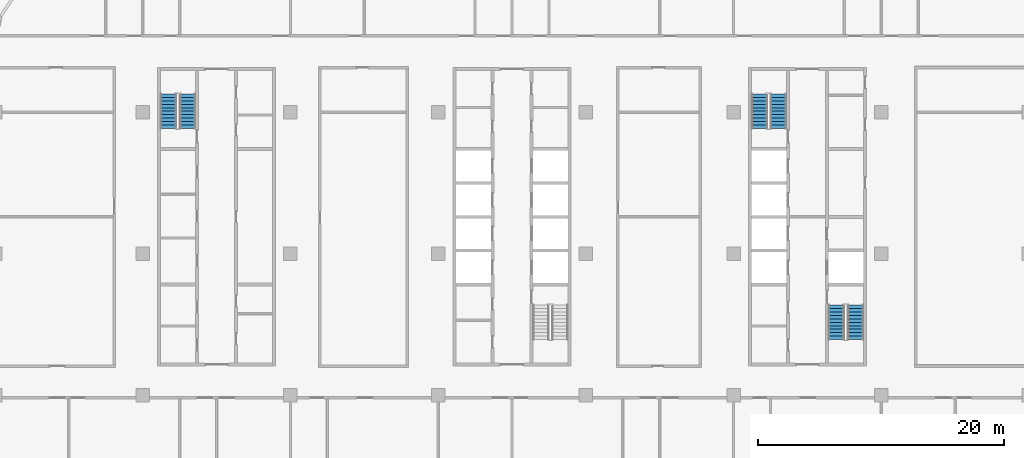
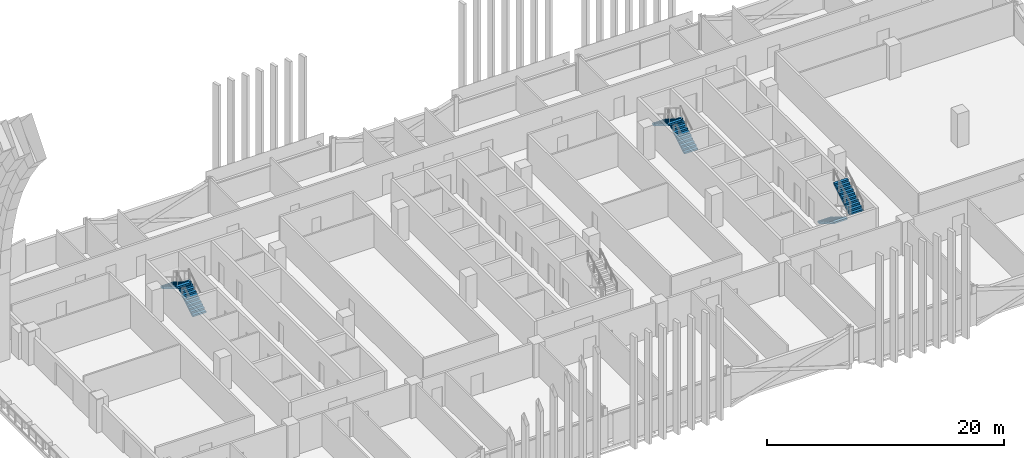
# One storey, part 15 of 28: 6 stair flights, 3 elements without a shape of their own.
"""IFC4 building model written with IfcOpenShell, lengths in metres."""

import ifcopenshell
import ifcopenshell.guid

model = None  # the IFC model being written
_history = None  # IfcOwnerHistory: only IFC2X3 demands one
_inside = {}  # id of a spatial element -> (the spatial element, [elements in it])
_under = {}  # id of a project, library or spatial element -> (it, [spatial elements below it])
_declared = {}  # id of a project -> (the project, [libraries it declares])
_typed = {}  # id of a type object -> (the type object, [elements of that type])
_made_of = {}  # id of a material, layer set ... -> (it, [elements and type objects made of it])


def new_model(schema):
    """Start an empty IFC model of exactly this schema.

    Asked for "IFC4X3", IfcOpenShell would pick the latest addendum, in which some entities
    have other attributes; the version numbers below select the first issue.
    IFC2X3 requires an IfcOwnerHistory on every rooted entity: one is made here for all.
    """
    global model, _history
    if schema == "IFC4X3":
        model = ifcopenshell.file(schema_version=(4, 3, 0, 0))
    else:
        model = ifcopenshell.file(schema=schema)
    _inside.clear()
    _under.clear()
    _declared.clear()
    _typed.clear()
    _made_of.clear()
    _history = None
    if model.schema == "IFC2X3":
        org = make("IfcOrganization", Name="unknown")
        user = make(
            "IfcPersonAndOrganization",
            ThePerson=make("IfcPerson", FamilyName="unknown"),
            TheOrganization=org,
        )
        app = make(
            "IfcApplication",
            ApplicationDeveloper=org,
            Version="unknown",
            ApplicationFullName="unknown",
            ApplicationIdentifier="unknown",
        )
        _history = make(
            "IfcOwnerHistory",
            OwningUser=user,
            OwningApplication=app,
            ChangeAction="ADDED",
            CreationDate=0,
        )
    return model


def make(cls, **values):
    """One entity of the class cls with the attributes given. An attribute that is None is left unset."""
    return model.create_entity(
        cls, **{name: value for name, value in values.items() if value is not None}
    )


def rooted(cls, **values):
    """An entity with a GlobalId (a new one), such as an element, a storey or a relation."""
    return make(cls, GlobalId=ifcopenshell.guid.new(), OwnerHistory=_history, **values)


def si_unit(unit_type, name, prefix=None):
    """IfcSIUnit, for example si_unit("LENGTHUNIT", "METRE", prefix="MILLI")."""
    return make("IfcSIUnit", UnitType=unit_type, Prefix=prefix, Name=name)


def assignment(units):
    """IfcUnitAssignment: the units of a project."""
    return None if units is None else make("IfcUnitAssignment", Units=units)


def point(xyz):
    """IfcCartesianPoint."""
    return None if xyz is None else make("IfcCartesianPoint", Coordinates=xyz)


def direction(xyz):
    """IfcDirection."""
    return None if xyz is None else make("IfcDirection", DirectionRatios=xyz)


def frame(location, z_axis=None, x_axis=None):
    """IfcAxis2Placement3D, a coordinate frame: its origin and axes. An axis left out is left unset."""
    return make(
        "IfcAxis2Placement3D",
        Location=point(location),
        Axis=direction(z_axis),
        RefDirection=direction(x_axis),
    )


def origin():
    """The frame at (0, 0, 0) with its axes left unset."""
    return frame((0.0, 0.0, 0.0))


def place(relative_to, where):
    """IfcLocalPlacement: puts the frame where relative to a parent placement (None: the world)."""
    return make(
        "IfcLocalPlacement", PlacementRelTo=relative_to, RelativePlacement=where
    )


def context(
    kind, dimensions, precision=None, world=None, true_north=None, identifier=None
):
    """IfcGeometricRepresentationContext, for example the 3D "Model" context."""
    return make(
        "IfcGeometricRepresentationContext",
        ContextIdentifier=identifier,
        ContextType=kind,
        CoordinateSpaceDimension=dimensions,
        Precision=precision,
        WorldCoordinateSystem=world,
        TrueNorth=true_north,
    )


def subcontext(parent, identifier, kind, view, scale=None):
    """IfcGeometricRepresentationSubContext, for example "Body" below "Model"."""
    return make(
        "IfcGeometricRepresentationSubContext",
        ContextIdentifier=identifier,
        ContextType=kind,
        ParentContext=parent,
        TargetScale=scale,
        TargetView=view,
    )


def project(units=None, contexts=None):
    """IfcProject with its units and contexts."""
    return rooted(
        "IfcProject",
        Name="project",
        RepresentationContexts=contexts,
        UnitsInContext=assignment(units),
    )


def spatial(cls, under=None, at=None, **own):
    """A site, building, storey or space (cls), placed at a placement, below another one or the project."""
    s = rooted(cls, ObjectPlacement=at, **own)
    if under is not None:
        _under.setdefault(under.id(), (under, []))[1].append(s)
    return s


def polyline(points):
    """IfcPolyline through the points."""
    return make("IfcPolyline", Points=[point(p) for p in points])


def outline(outer, holes=None, kind="AREA"):
    """IfcArbitraryClosedProfileDef: a profile drawn as a closed curve; with holes, ...WithVoids."""
    if holes is None:
        return make("IfcArbitraryClosedProfileDef", ProfileType=kind, OuterCurve=outer)
    return make(
        "IfcArbitraryProfileDefWithVoids",
        ProfileType=kind,
        OuterCurve=outer,
        InnerCurves=holes,
    )


def extrude(swept, where, along, depth):
    """IfcExtrudedAreaSolid: the profile swept, set in the frame where, extruded along a direction by depth."""
    return make(
        "IfcExtrudedAreaSolid",
        SweptArea=swept,
        Position=where,
        ExtrudedDirection=direction(along),
        Depth=depth,
    )


def shape(context_of_items, identifier, shape_type, items):
    """IfcShapeRepresentation: the items that make up one representation, for example the "Body"."""
    return make(
        "IfcShapeRepresentation",
        ContextOfItems=context_of_items,
        RepresentationIdentifier=identifier,
        RepresentationType=shape_type,
        Items=items,
    )


def material(Name=None, Category=None):
    """IfcMaterial."""
    return make("IfcMaterial", Name=Name, Category=Category)


def made_of(thing, what):
    """Note that an element or type object is made of a material, layer set ...; save() writes the relation."""
    if what is not None:
        _made_of.setdefault(what.id(), (what, []))[1].append(thing)
    return thing


def type_object(cls, material=None, **own):
    """A type object (cls), such as IfcWallType, which elements share."""
    return made_of(rooted(cls, **own), material)


def element(
    cls,
    number,
    at=None,
    inside=None,
    cuts=None,
    type_object=None,
    material=None,
    context=None,
    identifier="Body",
    shape_type=None,
    held_by="IfcProductDefinitionShape",
    body=None,
    shapes=None,
    **own,
):
    """One element of the class cls, such as IfcWall. Its Tag is "e" and its number.

    at: its placement. inside: the storey or other place that contains it. cuts: it is an
    opening in that element (IfcRelVoidsElement). A single representation is given by context,
    identifier, shape_type and body (its items); several are given by shapes. held_by: the class
    of the entity that holds the representations. save() writes the other relations.
    """
    e = rooted(cls, Tag="e%d" % number, ObjectPlacement=at, **own)
    if body is not None:
        shapes = [shape(context, identifier, shape_type, body)]
    if shapes is not None:
        e.Representation = make(held_by, Representations=shapes)
    if inside is not None:
        _inside.setdefault(inside.id(), (inside, []))[1].append(e)
    if cuts is not None:
        rooted(
            "IfcRelVoidsElement", RelatingBuildingElement=cuts, RelatedOpeningElement=e
        )
    if type_object is not None:
        _typed.setdefault(type_object.id(), (type_object, []))[1].append(e)
    return made_of(e, material)


def aggregate(whole, parts):
    """IfcRelAggregates: a whole, such as a stair, and the parts it consists of."""
    return rooted("IfcRelAggregates", RelatingObject=whole, RelatedObjects=parts)


def save(model, path):
    """Write the relations noted so far, then the file.

    IfcRelAggregates (storeys below a building ...), IfcRelContainedInSpatialStructure (elements
    in a storey), IfcRelDefinesByType, IfcRelAssociatesMaterial and IfcRelDeclares: one each for
    every whole, place, type object, material and project.
    """
    for whole, parts in _under.values():
        aggregate(whole, parts)
    for where, things in _inside.values():
        rooted(
            "IfcRelContainedInSpatialStructure",
            RelatedElements=things,
            RelatingStructure=where,
        )
    for kind, things in _typed.values():
        rooted("IfcRelDefinesByType", RelatedObjects=things, RelatingType=kind)
    for what, things in _made_of.values():
        rooted("IfcRelAssociatesMaterial", RelatedObjects=things, RelatingMaterial=what)
    for by, libraries in _declared.values():
        rooted("IfcRelDeclares", RelatingContext=by, RelatedDefinitions=libraries)
    model.write(path)


model = new_model("IFC4")

# Units and contexts
model_context = context("Model", 3, precision=1e-05, world=origin(), true_north=direction((0.0, 1.0)))
body_context = subcontext(model_context, "Body", "Model", "MODEL_VIEW")
ifc_project = project(units=[si_unit("LENGTHUNIT", "METRE"), si_unit("AREAUNIT", "SQUARE_METRE"), si_unit("VOLUMEUNIT", "CUBIC_METRE"), si_unit("PLANEANGLEUNIT", "RADIAN"), si_unit("MASSUNIT", "GRAM", prefix="KILO")], contexts=[model_context])

# Site, building, storey
site_placement = place(None, origin())
site = spatial("IfcSite", under=ifc_project, at=site_placement, CompositionType="ELEMENT")
building_placement = place(site_placement, origin())
building = spatial("IfcBuilding", under=site, at=building_placement, Name="Mahtab Terrace Research Tower", CompositionType="ELEMENT")
storey_placement = place(building_placement, frame((0.0, 0.0, 193.89990234375)))
storey = spatial("IfcBuildingStorey", under=building, at=storey_placement, Name="L46", CompositionType="ELEMENT", Elevation=193.89990234375)

# Stair, stair flights
ifc_material_1 = material(Name="Exit stair half-turn")
stair_type = type_object("IfcStairType", Name="Exit stair half-turn", PredefinedType="HALF_TURN_STAIR", material=ifc_material_1)
stair_1_placement = place(storey_placement, origin())
stair_1 = element("IfcStair", 1, at=stair_1_placement, inside=storey, type_object=stair_type, Name="L46 Protected exit stair ST1", PredefinedType="HALF_TURN_STAIR")
ifc_material_2 = material(Name="Concrete C40/50", Category="concrete")
stair_flight_type = type_object("IfcStairFlightType", Name="Exit stair flight 1300", PredefinedType="STRAIGHT", material=ifc_material_2)
stair_flight_1_placement = place(storey_placement, frame((-26.35009765625, 10.175048828125, 0.0), z_axis=(0.0, 0.0, 1.0), x_axis=(0.0, 1.0, 0.0)))
stair_flight_1 = element("IfcStairFlight", 2, at=stair_flight_1_placement, type_object=stair_flight_type, Name="ST1 flight 1", NumberOfRisers=11, NumberOfTreads=10, PredefinedType="STRAIGHT", RiserHeight=0.172727273, TreadLength=0.28, context=body_context, shape_type="SweptSolid", body=[
    extrude(outline(polyline([(0.0, 0.0), (0.0, 0.172607421875), (0.280029296875, 0.172607421875), (0.280029296875, 0.345458984375), (0.56005859375, 0.345458984375), (0.56005859375, 0.51806640625), (0.840087890625, 0.51806640625), (0.840087890625, 0.69091796875), (1.1201171875, 0.69091796875), (1.1201171875, 0.863525390625), (1.39990234375, 0.863525390625), (1.39990234375, 1.036376953125), (1.679931640625, 1.036376953125), (1.679931640625, 1.208984375), (1.9599609375, 1.208984375), (1.9599609375, 1.3818359375), (2.239990234375, 1.3818359375), (2.239990234375, 1.554443359375), (2.52001953125, 1.554443359375), (2.52001953125, 1.727294921875), (2.800048828125, 1.727294921875), (2.800048828125, 1.89990234375), (2.800048828125, 1.551025390625), (0.285400390625, 0.0), (0.0, 0.0)])), frame((0.0, 0.64990234375, 0.0), z_axis=(0.0, -1.0, 0.0), x_axis=(1.0, 0.0, 0.0)), (0.0, 0.0, 1.0), 1.300048828125),
])
stair_flight_2_placement = place(storey_placement, frame((-27.89990234375, 12.97509765625, 1.900146484375), z_axis=(0.0, 0.0, 1.0), x_axis=(0.0, -1.0, 0.0)))
stair_flight_2 = element("IfcStairFlight", 3, at=stair_flight_2_placement, type_object=stair_flight_type, Name="ST1 flight 2", NumberOfRisers=11, NumberOfTreads=10, PredefinedType="STRAIGHT", RiserHeight=0.172727273, TreadLength=0.28, context=body_context, shape_type="SweptSolid", body=[
    extrude(outline(polyline([(0.0, 0.0), (0.0, 0.172607421875), (0.280029296875, 0.172607421875), (0.280029296875, 0.345458984375), (0.56005859375, 0.345458984375), (0.56005859375, 0.51806640625), (0.840087890625, 0.51806640625), (0.840087890625, 0.69091796875), (1.1201171875, 0.69091796875), (1.1201171875, 0.863525390625), (1.39990234375, 0.863525390625), (1.39990234375, 1.036376953125), (1.679931640625, 1.036376953125), (1.679931640625, 1.208984375), (1.9599609375, 1.208984375), (1.9599609375, 1.3818359375), (2.239990234375, 1.3818359375), (2.239990234375, 1.554443359375), (2.52001953125, 1.554443359375), (2.52001953125, 1.727294921875), (2.800048828125, 1.727294921875), (2.800048828125, 1.89990234375), (2.800048828125, 1.551025390625), (0.285400390625, 0.0), (0.0, 0.0)])), frame((0.0, 0.64990234375, 0.0), z_axis=(0.0, -1.0, 0.0), x_axis=(1.0, 0.0, 0.0)), (0.0, 0.0, 1.0), 1.300048828125),
])
aggregate(stair_1, [stair_flight_1, stair_flight_2])

stair_2_placement = place(storey_placement, origin())
stair_2 = element("IfcStair", 4, at=stair_2_placement, inside=storey, type_object=stair_type, Name="L46 Protected exit stair ST3", PredefinedType="HALF_TURN_STAIR")
stair_flight_3_placement = place(storey_placement, frame((21.64990234375, 10.175048828125, 0.0), z_axis=(0.0, 0.0, 1.0), x_axis=(0.0, 1.0, 0.0)))
stair_flight_3 = element("IfcStairFlight", 5, at=stair_flight_3_placement, type_object=stair_flight_type, Name="ST3 flight 1", NumberOfRisers=11, NumberOfTreads=10, PredefinedType="STRAIGHT", RiserHeight=0.172727273, TreadLength=0.28, context=body_context, shape_type="SweptSolid", body=[
    extrude(outline(polyline([(0.0, 0.0), (0.0, 0.172607421875), (0.280029296875, 0.172607421875), (0.280029296875, 0.345458984375), (0.56005859375, 0.345458984375), (0.56005859375, 0.51806640625), (0.840087890625, 0.51806640625), (0.840087890625, 0.69091796875), (1.1201171875, 0.69091796875), (1.1201171875, 0.863525390625), (1.39990234375, 0.863525390625), (1.39990234375, 1.036376953125), (1.679931640625, 1.036376953125), (1.679931640625, 1.208984375), (1.9599609375, 1.208984375), (1.9599609375, 1.3818359375), (2.239990234375, 1.3818359375), (2.239990234375, 1.554443359375), (2.52001953125, 1.554443359375), (2.52001953125, 1.727294921875), (2.800048828125, 1.727294921875), (2.800048828125, 1.89990234375), (2.800048828125, 1.551025390625), (0.285400390625, 0.0), (0.0, 0.0)])), frame((0.0, 0.64990234375, 0.0), z_axis=(0.0, -1.0, 0.0), x_axis=(1.0, 0.0, 0.0)), (0.0, 0.0, 1.0), 1.300048828125),
])
stair_flight_4_placement = place(storey_placement, frame((20.10009765625, 12.97509765625, 1.900146484375), z_axis=(0.0, 0.0, 1.0), x_axis=(0.0, -1.0, 0.0)))
stair_flight_4 = element("IfcStairFlight", 6, at=stair_flight_4_placement, type_object=stair_flight_type, Name="ST3 flight 2", NumberOfRisers=11, NumberOfTreads=10, PredefinedType="STRAIGHT", RiserHeight=0.172727273, TreadLength=0.28, context=body_context, shape_type="SweptSolid", body=[
    extrude(outline(polyline([(0.0, 0.0), (0.0, 0.172607421875), (0.280029296875, 0.172607421875), (0.280029296875, 0.345458984375), (0.56005859375, 0.345458984375), (0.56005859375, 0.51806640625), (0.840087890625, 0.51806640625), (0.840087890625, 0.69091796875), (1.1201171875, 0.69091796875), (1.1201171875, 0.863525390625), (1.39990234375, 0.863525390625), (1.39990234375, 1.036376953125), (1.679931640625, 1.036376953125), (1.679931640625, 1.208984375), (1.9599609375, 1.208984375), (1.9599609375, 1.3818359375), (2.239990234375, 1.3818359375), (2.239990234375, 1.554443359375), (2.52001953125, 1.554443359375), (2.52001953125, 1.727294921875), (2.800048828125, 1.727294921875), (2.800048828125, 1.89990234375), (2.800048828125, 1.551025390625), (0.285400390625, 0.0), (0.0, 0.0)])), frame((0.0, 0.64990234375, 0.0), z_axis=(0.0, -1.0, 0.0), x_axis=(1.0, 0.0, 0.0)), (0.0, 0.0, 1.0), 1.300048828125),
])
aggregate(stair_2, [stair_flight_3, stair_flight_4])

stair_3_placement = place(storey_placement, origin())
stair_3 = element("IfcStair", 7, at=stair_3_placement, inside=storey, type_object=stair_type, Name="L46 Protected exit stair ST4", PredefinedType="HALF_TURN_STAIR")
stair_flight_5_placement = place(storey_placement, frame((26.35009765625, -4.175048828125, 0.0), z_axis=(0.0, 0.0, 1.0), x_axis=(0.0, -1.0, 0.0)))
stair_flight_5 = element("IfcStairFlight", 8, at=stair_flight_5_placement, type_object=stair_flight_type, Name="ST4 flight 1", NumberOfRisers=11, NumberOfTreads=10, PredefinedType="STRAIGHT", RiserHeight=0.172727273, TreadLength=0.28, context=body_context, shape_type="SweptSolid", body=[
    extrude(outline(polyline([(0.0, 0.0), (0.0, 0.172607421875), (0.280029296875, 0.172607421875), (0.280029296875, 0.345458984375), (0.56005859375, 0.345458984375), (0.56005859375, 0.51806640625), (0.840087890625, 0.51806640625), (0.840087890625, 0.69091796875), (1.1201171875, 0.69091796875), (1.1201171875, 0.863525390625), (1.39990234375, 0.863525390625), (1.39990234375, 1.036376953125), (1.679931640625, 1.036376953125), (1.679931640625, 1.208984375), (1.9599609375, 1.208984375), (1.9599609375, 1.3818359375), (2.239990234375, 1.3818359375), (2.239990234375, 1.554443359375), (2.52001953125, 1.554443359375), (2.52001953125, 1.727294921875), (2.800048828125, 1.727294921875), (2.800048828125, 1.89990234375), (2.800048828125, 1.551025390625), (0.285400390625, 0.0), (0.0, 0.0)])), frame((0.0, 0.64990234375, 0.0), z_axis=(0.0, -1.0, 0.0), x_axis=(1.0, 0.0, 0.0)), (0.0, 0.0, 1.0), 1.300048828125),
])
stair_flight_6_placement = place(storey_placement, frame((27.89990234375, -6.97509765625, 1.900146484375), z_axis=(0.0, 0.0, 1.0), x_axis=(0.0, 1.0, 0.0)))
stair_flight_6 = element("IfcStairFlight", 9, at=stair_flight_6_placement, type_object=stair_flight_type, Name="ST4 flight 2", NumberOfRisers=11, NumberOfTreads=10, PredefinedType="STRAIGHT", RiserHeight=0.172727273, TreadLength=0.28, context=body_context, shape_type="SweptSolid", body=[
    extrude(outline(polyline([(0.0, 0.0), (0.0, 0.172607421875), (0.280029296875, 0.172607421875), (0.280029296875, 0.345458984375), (0.56005859375, 0.345458984375), (0.56005859375, 0.51806640625), (0.840087890625, 0.51806640625), (0.840087890625, 0.69091796875), (1.1201171875, 0.69091796875), (1.1201171875, 0.863525390625), (1.39990234375, 0.863525390625), (1.39990234375, 1.036376953125), (1.679931640625, 1.036376953125), (1.679931640625, 1.208984375), (1.9599609375, 1.208984375), (1.9599609375, 1.3818359375), (2.239990234375, 1.3818359375), (2.239990234375, 1.554443359375), (2.52001953125, 1.554443359375), (2.52001953125, 1.727294921875), (2.800048828125, 1.727294921875), (2.800048828125, 1.89990234375), (2.800048828125, 1.551025390625), (0.285400390625, 0.0), (0.0, 0.0)])), frame((0.0, 0.64990234375, 0.0), z_axis=(0.0, -1.0, 0.0), x_axis=(1.0, 0.0, 0.0)), (0.0, 0.0, 1.0), 1.300048828125),
])
aggregate(stair_3, [stair_flight_5, stair_flight_6])

save(model, "model.ifc")
